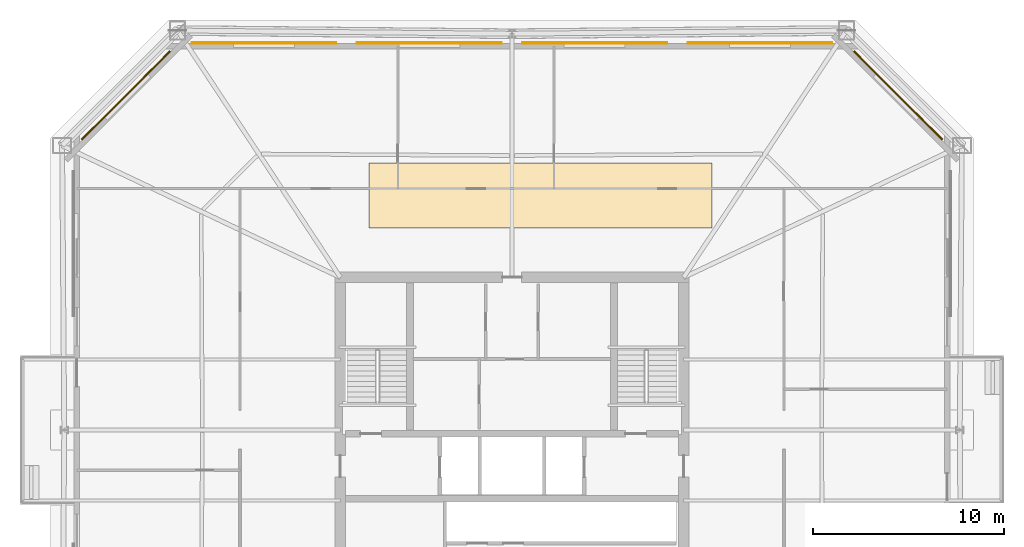
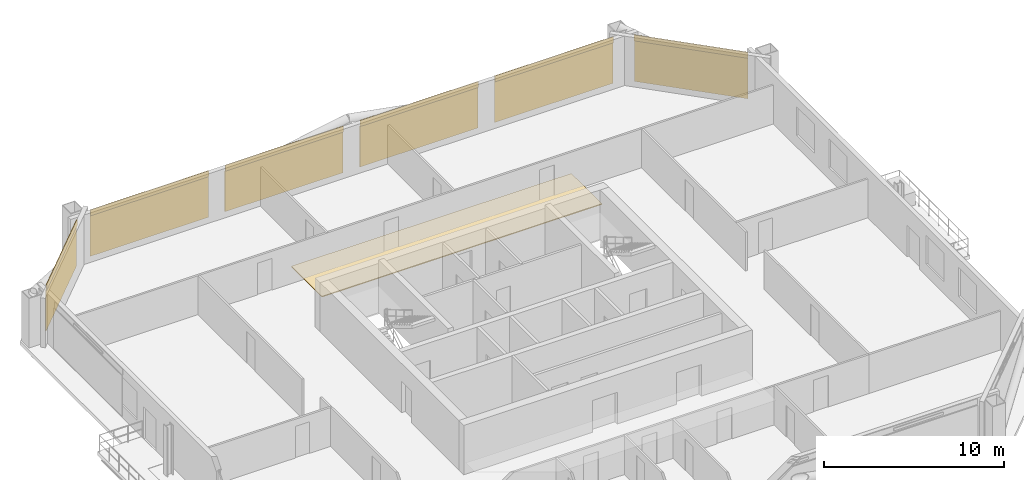
# One storey, part 8 of 8: 7 coverings, 6 shading devices.
"""IFC4 building model written with IfcOpenShell, lengths in metres."""

from ifc_helpers import new_model, si_unit, direction, frame, origin, origin_2d, place, context, subcontext, project, spatial, polyline, rectangle, outline, extrude, material, layer, layer_set, type_object, element, save


model = new_model("IFC4")

# Units and contexts
model_context = context("Model", 3, precision=1e-05, world=origin(), true_north=direction((0.0, 1.0)))
body_context = subcontext(model_context, "Body", "Model", "MODEL_VIEW")
ifc_project = project(units=[si_unit("LENGTHUNIT", "METRE"), si_unit("AREAUNIT", "SQUARE_METRE"), si_unit("VOLUMEUNIT", "CUBIC_METRE"), si_unit("PLANEANGLEUNIT", "RADIAN"), si_unit("MASSUNIT", "GRAM", prefix="KILO")], contexts=[model_context])

# Site, building, storey
site_placement = place(None, origin())
site = spatial("IfcSite", under=ifc_project, at=site_placement, CompositionType="ELEMENT")
building_placement = place(site_placement, origin())
building = spatial("IfcBuilding", under=site, at=building_placement, Name="Caelvoria Tower", CompositionType="ELEMENT")
storey_placement = place(building_placement, frame((0.0, 0.0, 138.39990234375)))
storey = spatial("IfcBuildingStorey", under=building, at=storey_placement, Name="L36", CompositionType="ELEMENT", Elevation=138.39990234375)

# Coverings
ifc_material_1 = material(Name="Perforated Architectural Bronze Cladding Screen", Category="bronze")
ifc_layer_1 = layer(ifc_material_1, 0.0400390625, Name="Perforated Architectural Bronze Cladding Screen")
ifc_layer_set_1 = layer_set([ifc_layer_1], Name="Perforated Bronze Louvre Cladding Band 40 - Perforated Architectural Bronze Cladding Screen")
covering_type_1 = type_object("IfcCoveringType", Name="Perforated Bronze Louvre Cladding Band 40", PredefinedType="CLADDING", material=ifc_layer_set_1)
covering_1_placement = place(storey_placement, frame((66.231689453125, 49.53173828125, 2.940185546875), z_axis=(0.0, 0.0, 1.0), x_axis=(-0.707106781187, 0.707106781187, 0.0)))
element("IfcCovering", 1, at=covering_1_placement, inside=storey, type_object=covering_type_1, Name="Perforated Bronze Screen Band L36-E3-00", PredefinedType="CLADDING", context=body_context, shape_type="SweptSolid", body=[
    extrude(rectangle(XDim=6.55419921875, YDim=0.0400390625, at=origin_2d()), origin(), (0.0, 0.0, 1.0), 0.39990234375),
])
for number, where, z_axis, x_axis, name in (
    (2, (59.0048828125, 52.27197265625, 2.940185546875), (0.0, 0.0, 1.0), (-1.0, 0.0, 0.0), "Perforated Bronze Screen Band L36-E4-00"),
    (3, (50.3349609375, 52.27197265625, 2.940185546875), (0.0, 0.0, 1.0), (-1.0, 0.0, 0.0), "Perforated Bronze Screen Band L36-E4-01"),
    (4, (41.6650390625, 52.27197265625, 2.940185546875), (0.0, 0.0, 1.0), (-1.0, 0.0, 0.0), "Perforated Bronze Screen Band L36-E4-02"),
    (5, (32.9951171875, 52.27197265625, 2.940185546875), (0.0, 0.0, 1.0), (-1.0, 0.0, 0.0), "Perforated Bronze Screen Band L36-E4-03"),
):
    element("IfcCovering", number, at=place(storey_placement, frame(where, z_axis=z_axis, x_axis=x_axis)), inside=storey, type_object=covering_type_1, Name=name, PredefinedType="CLADDING", context=body_context, shape_type="SweptSolid", body=[
        extrude(rectangle(XDim=7.60009765625, YDim=0.0400390625, at=origin_2d()), origin(), (0.0, 0.0, 1.0), 0.39990234375),
    ])
covering_2_placement = place(storey_placement, frame((25.768310546875, 49.53173828125, 2.940185546875), z_axis=(0.0, 0.0, 1.0), x_axis=(-0.707106781187, -0.707106781187, 0.0)))
element("IfcCovering", 6, at=covering_2_placement, inside=storey, type_object=covering_type_1, Name="Perforated Bronze Screen Band L36-E5-00", PredefinedType="CLADDING", context=body_context, shape_type="SweptSolid", body=[
    extrude(rectangle(XDim=6.55419921875, YDim=0.0400390625, at=origin_2d()), origin(), (0.0, 0.0, 1.0), 0.39990234375),
])

# Shading devices
ifc_material_2 = material(Name="Perforated Architectural Bronze Alloy Panel", Category="bronze")
ifc_layer_2 = layer(ifc_material_2, 0.044921875, Name="Perforated Architectural Bronze Alloy Panel")
ifc_layer_set_2 = layer_set([ifc_layer_2], Name="Perforated Bronze Solar Screen Panel SCREEN - Perforated Architectural Bronze Alloy Panel")
shading_device_type = type_object("IfcShadingDeviceType", Name="Perforated Bronze Solar Screen Panel SCREEN", PredefinedType="USERDEFINED", material=ifc_layer_set_2)
shading_device_1_placement = place(storey_placement, frame((66.26220703125, 49.56201171875, 0.16015625), z_axis=(0.0, 0.0, 1.0), x_axis=(-0.707106781187, 0.707106781187, 0.0)))
element("IfcShadingDevice", 7, at=shading_device_1_placement, inside=storey, type_object=shading_device_type, Name="Perforated Bronze Solar Screen L36-E3-00", ObjectType="SCREEN", PredefinedType="USERDEFINED", context=body_context, shape_type="SweptSolid", body=[
    extrude(rectangle(XDim=6.55419921875, YDim=0.044921875, at=origin_2d()), origin(), (0.0, 0.0, 1.0), 2.75),
])
for number, where, z_axis, x_axis, name in (
    (8, (59.0048828125, 52.31494140625, 0.16015625), (0.0, 0.0, 1.0), (-1.0, 0.0, 0.0), "Perforated Bronze Solar Screen L36-E4-00"),
    (9, (50.3349609375, 52.31494140625, 0.16015625), (0.0, 0.0, 1.0), (-1.0, 0.0, 0.0), "Perforated Bronze Solar Screen L36-E4-01"),
    (10, (41.6650390625, 52.31494140625, 0.16015625), (0.0, 0.0, 1.0), (-1.0, 0.0, 0.0), "Perforated Bronze Solar Screen L36-E4-02"),
    (11, (32.9951171875, 52.31494140625, 0.16015625), (0.0, 0.0, 1.0), (-1.0, 0.0, 0.0), "Perforated Bronze Solar Screen L36-E4-03"),
):
    element("IfcShadingDevice", number, at=place(storey_placement, frame(where, z_axis=z_axis, x_axis=x_axis)), inside=storey, type_object=shading_device_type, Name=name, ObjectType="SCREEN", PredefinedType="USERDEFINED", context=body_context, shape_type="SweptSolid", body=[
        extrude(rectangle(XDim=7.60009765625, YDim=0.044921875, at=origin_2d()), origin(), (0.0, 0.0, 1.0), 2.75),
    ])
shading_device_2_placement = place(storey_placement, frame((25.73779296875, 49.56201171875, 0.16015625), z_axis=(0.0, 0.0, 1.0), x_axis=(-0.707106781187, -0.707106781187, 0.0)))
element("IfcShadingDevice", 12, at=shading_device_2_placement, inside=storey, type_object=shading_device_type, Name="Perforated Bronze Solar Screen L36-E5-00", ObjectType="SCREEN", PredefinedType="USERDEFINED", context=body_context, shape_type="SweptSolid", body=[
    extrude(rectangle(XDim=6.55419921875, YDim=0.044921875, at=origin_2d()), origin(), (0.0, 0.0, 1.0), 2.75),
])

# Covering
ifc_material_3 = material(Name="Calcium-Sulphate Raised Floor Tile", Category="gypsum")
ifc_layer_3 = layer(ifc_material_3, 0.06005859375, Name="Calcium-Sulphate Raised Floor Tile")
ifc_layer_set_3 = layer_set([ifc_layer_3], Name="Raised Access Office Floor System 120 - Calcium-Sulphate Raised Floor Tile")
covering_type_2 = type_object("IfcCoveringType", Name="Raised Access Office Floor System 120", PredefinedType="FLOORING", material=ifc_layer_set_3)
covering_3_placement = place(storey_placement, origin())
element("IfcCovering", 13, at=covering_3_placement, inside=storey, type_object=covering_type_2, Name="Raised Access Flooring L36", PredefinedType="FLOORING", context=body_context, shape_type="SweptSolid", body=[
    extrude(outline(polyline([(38.5, 42.60009765625), (56.5, 42.60009765625), (56.5, 46.0), (38.5, 46.0), (38.5, 42.60009765625)])), origin(), (0.0, 0.0, 1.0), 0.06005859375),
])

save(model, "model.ifc")
